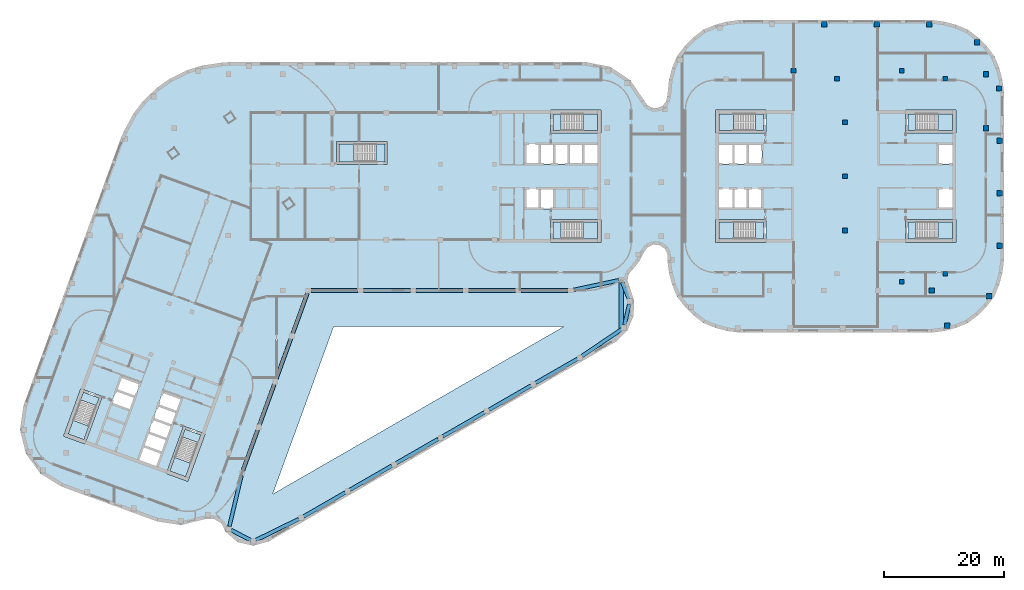
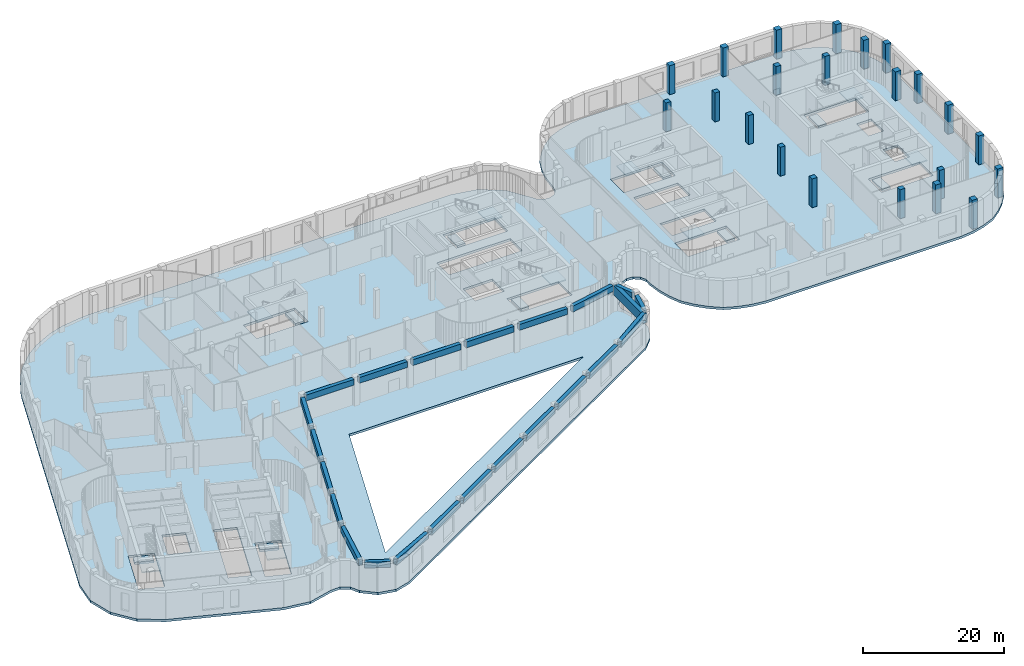
# One storey, part 2 of 20: 23 beams, 22 columns, 19 slabs, 9 elements without a shape of their own.
"""IFC4 building model written with IfcOpenShell, lengths in metres."""

from ifc_helpers import new_model, si_unit, direction, frame, origin, origin_2d, place, context, subcontext, project, spatial, polyline, rectangle, hollow_rectangle, outline, extrude, material, layer, layer_set, material_profile, profile_set, type_object, element, aggregate, save


model = new_model("IFC4")

# Units and contexts
model_context = context("Model", 3, precision=1e-05, world=origin(), true_north=direction((0.0, 1.0)))
body_context = subcontext(model_context, "Body", "Model", "MODEL_VIEW")
ifc_project = project(units=[si_unit("LENGTHUNIT", "METRE"), si_unit("AREAUNIT", "SQUARE_METRE"), si_unit("VOLUMEUNIT", "CUBIC_METRE"), si_unit("PLANEANGLEUNIT", "RADIAN"), si_unit("MASSUNIT", "GRAM", prefix="KILO")], contexts=[model_context])

# Site, building, storey
site_placement = place(None, origin())
site = spatial("IfcSite", under=ifc_project, at=site_placement, CompositionType="ELEMENT")
building_placement = place(site_placement, origin())
building = spatial("IfcBuilding", under=site, at=building_placement, Name="Skarvind Civic Tower", CompositionType="ELEMENT")
storey_placement = place(building_placement, frame((0.0, 0.0, 17.5)))
storey = spatial("IfcBuildingStorey", under=building, at=storey_placement, Name="L03", CompositionType="ELEMENT", Elevation=17.5)

# Columns
ifc_material_1 = material(Name="Concrete C60", Category="concrete")
ifc_material_profile_1 = material_profile(ifc_material_1, rectangle(XDim=0.800048828125, YDim=0.800048828125, at=origin_2d()), Name="RC-800x800")
ifc_profile_set_1 = profile_set([ifc_material_profile_1], Name="Concrete C60")
column_type_1 = type_object("IfcColumnType", Name="Column RC-800x800 C60", PredefinedType="COLUMN", material=ifc_profile_set_1)
for number, where, z_axis, x_axis, name in (
    (1, (148.550048828125, 119.0, 0.0), (0.0, 0.0, 1.0), (1.0, 0.0, 0.0), "Column second tower middle line 01 L03"),
    (2, (148.550048828125, 128.0, 0.0), (0.0, 0.0, 1.0), (1.0, 0.0, 0.0), "Column second tower middle line 02 L03"),
    (3, (148.550048828125, 137.0, 0.0), (0.0, 0.0, 1.0), (1.0, 0.0, 0.0), "Column second tower middle line 03 L03"),
    (4, (140.0, 145.550048828125, 0.0), (0.0, 0.0, 1.0), (1.0, 0.0, 0.0), "Column second tower north perimeter 02 L03"),
    (5, (147.222900390625, 144.222900390625, 0.0), (0.0, 0.0, 1.0), (1.0, 0.0, 0.0), "Column second tower north perimeter 03 L03"),
    (6, (165.222900390625, 144.222900390625, 0.0), (0.0, 0.0, 1.0), (1.0, 0.0, 0.0), "Column second tower north-east corner L03"),
    (7, (165.222900390625, 111.777099609375, 0.0), (0.0, 0.0, 1.0), (1.0, 0.0, 0.0), "Column second tower south-east corner L03"),
    (8, (158.0, 145.550048828125, 0.0), (0.0, 0.0, 1.0), (1.0, 0.0, 0.0), "Column second tower north perimeter 04 L03"),
    (9, (158.0, 110.449951171875, 0.0), (0.0, 0.0, 1.0), (1.0, 0.0, 0.0), "Column second tower south perimeter 04 L03"),
):
    element("IfcColumn", number, at=place(storey_placement, frame(where, z_axis=z_axis, x_axis=x_axis)), inside=storey, type_object=column_type_1, Name=name, PredefinedType="COLUMN", context=body_context, shape_type="SweptSolid", body=[
        extrude(rectangle(XDim=0.800048828125, YDim=0.800048828125, at=origin_2d()), origin(), (0.0, 0.0, 1.0), 5.0),
    ])
ifc_material_profile_2 = material_profile(ifc_material_1, rectangle(XDim=0.89990234375, YDim=0.89990234375, at=origin_2d()), Name="RC-900x900")
ifc_profile_set_2 = profile_set([ifc_material_profile_2], Name="Concrete C60")
column_type_2 = type_object("IfcColumnType", Name="Column RC-900x900 C60", PredefinedType="COLUMN", material=ifc_profile_set_2)
for number, where, z_axis, x_axis, name in (
    (10, (163.0, 109.0, 0.0), (0.0, 0.0, 1.0), (1.0, 0.0, 0.0), "Column podium grid 104 L03"),
    (11, (172.0, 136.0, 0.0), (0.0, 0.0, 1.0), (1.0, 0.0, 0.0), "Column podium grid 105 L03"),
    (12, (172.0, 145.0, 0.0), (0.0, 0.0, 1.0), (1.0, 0.0, 0.0), "Column podium grid 106 L03"),
    (13, (145.1015625, 153.300048828125, 0.0), (0.0, 0.0, 1.0), (1.0, 0.0, 0.0), "Column podium edge 31 L03"),
    (14, (153.8310546875, 153.300048828125, 0.0), (0.0, 0.0, 1.0), (1.0, 0.0, 0.0), "Column podium edge 32 L03"),
    (15, (162.560791015625, 153.300048828125, 0.0), (0.0, 0.0, 1.0), (1.0, 0.0, 0.0), "Column podium edge 33 L03"),
    (16, (170.520751953125, 150.26708984375, 0.0), (0.0, 0.0, 1.0), (1.0, 0.0, 0.0), "Column podium edge 34 L03"),
    (17, (174.210693359375, 142.610595703125, 0.0), (0.0, 0.0, 1.0), (1.0, 0.0, 0.0), "Column podium edge 35 L03"),
    (18, (174.300048828125, 133.88671875, 0.0), (0.0, 0.0, 1.0), (1.0, 0.0, 0.0), "Column podium edge 36 L03"),
    (19, (174.300048828125, 125.1572265625, 0.0), (0.0, 0.0, 1.0), (1.0, 0.0, 0.0), "Column podium edge 37 L03"),
    (20, (174.300048828125, 116.427490234375, 0.0), (0.0, 0.0, 1.0), (1.0, 0.0, 0.0), "Column podium edge 38 L03"),
    (21, (172.520751953125, 108.018798828125, 0.0), (0.0, 0.0, 1.0), (1.0, 0.0, 0.0), "Column podium edge 39 L03"),
    (22, (165.565673828125, 103.1298828125, 0.0), (0.0, 0.0, 1.0), (1.0, 0.0, 0.0), "Column podium edge 40 L03"),
):
    element("IfcColumn", number, at=place(storey_placement, frame(where, z_axis=z_axis, x_axis=x_axis)), inside=storey, type_object=column_type_2, Name=name, PredefinedType="COLUMN", context=body_context, shape_type="SweptSolid", body=[
        extrude(rectangle(XDim=0.89990234375, YDim=0.89990234375, at=origin_2d()), origin(), (0.0, 0.0, 1.0), 5.0),
    ])

# Beams
ifc_material_profile_3 = material_profile(ifc_material_1, rectangle(XDim=0.60009765625, YDim=1.0, at=origin_2d()), Name="RC-600x1000")
ifc_profile_set_3 = profile_set([ifc_material_profile_3], Name="Concrete C60")
beam_type_1 = type_object("IfcBeamType", Name="Hall ring beam RC-600x1000 C60", PredefinedType="BEAM", material=ifc_profile_set_3)
beam_1_placement = place(storey_placement, frame((50.864501953125, 85.81298828125, 4.10009765625), z_axis=(-0.341997129295, -0.939700996889, 0.0), x_axis=(0.939700996889, -0.341997129295, 0.0)))
element("IfcBeam", 23, at=beam_1_placement, inside=storey, type_object=beam_type_1, Name="Hall ring beam L04 1", PredefinedType="BEAM", context=body_context, shape_type="SweptSolid", body=[
    extrude(rectangle(XDim=0.60009765625, YDim=1.0, at=origin_2d()), origin(), (0.0, 0.0, 1.0), 7.175048828125),
])
beam_2_placement = place(storey_placement, frame((48.15283203125, 78.2099609375, 4.10009765625), z_axis=(-0.230542220257, -0.973062323122, 0.0), x_axis=(0.973062323122, -0.230542220257, 0.0)))
element("IfcBeam", 24, at=beam_2_placement, inside=storey, type_object=beam_type_1, Name="Hall ring beam L04 2", PredefinedType="BEAM", context=body_context, shape_type="SweptSolid", body=[
    extrude(rectangle(XDim=0.60009765625, YDim=1.0, at=origin_2d()), origin(), (0.0, 0.0, 1.0), 8.66357421875),
])
beam_3_placement = place(storey_placement, frame((46.453369140625, 69.138916015625, 4.10009765625), z_axis=(0.892412475664, -0.451220537297, 0.0), x_axis=(0.451220537297, 0.892412475664, 0.0)))
element("IfcBeam", 25, at=beam_3_placement, inside=storey, type_object=beam_type_1, Name="Hall ring beam L04 3", PredefinedType="BEAM", context=body_context, shape_type="SweptSolid", body=[
    extrude(rectangle(XDim=0.60009765625, YDim=1.0, at=origin_2d()), origin(), (0.0, 0.0, 1.0), 3.676025390625),
])
beam_4_placement = place(storey_placement, frame((50.539794921875, 67.47509765625, 4.10009765625), z_axis=(0.898131682958, 0.439726596953, 0.0), x_axis=(-0.439726596953, 0.898131682958, 0.0)))
element("IfcBeam", 26, at=beam_4_placement, inside=storey, type_object=beam_type_1, Name="Hall ring beam L04 4", PredefinedType="BEAM", context=body_context, shape_type="SweptSolid", body=[
    extrude(rectangle(XDim=0.60009765625, YDim=1.0, at=origin_2d()), origin(), (0.0, 0.0, 1.0), 7.9599609375),
])
for number, where, z_axis, x_axis, name in (
    (27, (58.483154296875, 71.397705078125, 4.10009765625), (0.866703485632, 0.498823684275, 0.0), (-0.498823684275, 0.866703485632, 0.0), "Hall ring beam L04 5"),
    (28, (66.20849609375, 75.843994140625, 4.10009765625), (0.866703485632, 0.498823684275, 0.0), (-0.498823684275, 0.866703485632, 0.0), "Hall ring beam L04 6"),
    (29, (73.933837890625, 80.290283203125, 4.10009765625), (0.866703485632, 0.498823684275, 0.0), (-0.498823684275, 0.866703485632, 0.0), "Hall ring beam L04 7"),
    (30, (81.6591796875, 84.736572265625, 4.10009765625), (0.866703485632, 0.498823684275, 0.0), (-0.498823684275, 0.866703485632, 0.0), "Hall ring beam L04 8"),
    (31, (89.384521484375, 89.182861328125, 4.10009765625), (0.866703485632, 0.498823684275, 0.0), (-0.498823684275, 0.866703485632, 0.0), "Hall ring beam L04 9"),
    (32, (97.10986328125, 93.629150390625, 4.10009765625), (0.866703485632, 0.498823684275, 0.0), (-0.498823684275, 0.866703485632, 0.0), "Hall ring beam L04 10"),
):
    element("IfcBeam", number, at=place(storey_placement, frame(where, z_axis=z_axis, x_axis=x_axis)), inside=storey, type_object=beam_type_1, Name=name, PredefinedType="BEAM", context=body_context, shape_type="SweptSolid", body=[
        extrude(rectangle(XDim=0.60009765625, YDim=1.0, at=origin_2d()), origin(), (0.0, 0.0, 1.0), 8.013427734375),
    ])
beam_5_placement = place(storey_placement, frame((104.81787109375, 98.10302734375, 4.10009765625), z_axis=(0.828297670288, 0.560288291325, 0.0), x_axis=(-0.560288291325, 0.828297670288, 0.0)))
element("IfcBeam", 33, at=beam_5_placement, inside=storey, type_object=beam_type_1, Name="Hall ring beam L04 11", PredefinedType="BEAM", context=body_context, shape_type="SweptSolid", body=[
    extrude(rectangle(XDim=0.60009765625, YDim=1.0, at=origin_2d()), origin(), (0.0, 0.0, 1.0), 7.947021484375),
])
beam_6_placement = place(storey_placement, frame((111.873046875, 103.246337890625, 4.10009765625), z_axis=(0.222011679923, 0.975044006175, 0.0), x_axis=(-0.975044006175, 0.222011679923, 0.0)))
element("IfcBeam", 34, at=beam_6_placement, inside=storey, type_object=beam_type_1, Name="Hall ring beam L04 12", PredefinedType="BEAM", context=body_context, shape_type="SweptSolid", body=[
    extrude(rectangle(XDim=0.60009765625, YDim=1.0, at=origin_2d()), origin(), (0.0, 0.0, 1.0), 3.6201171875),
])
beam_7_placement = place(storey_placement, frame((112.608154296875, 107.632080078125, 4.10009765625), z_axis=(-0.374450757239, 0.927246801236, 0.0), x_axis=(-0.927246801236, -0.374450757239, 0.0)))
element("IfcBeam", 35, at=beam_7_placement, inside=storey, type_object=beam_type_1, Name="Hall ring beam L04 13", PredefinedType="BEAM", context=body_context, shape_type="SweptSolid", body=[
    extrude(rectangle(XDim=0.60009765625, YDim=1.0, at=origin_2d()), origin(), (0.0, 0.0, 1.0), 2.95556640625),
])
beam_8_placement = place(storey_placement, frame((110.892822265625, 110.69580078125, 4.10009765625), z_axis=(-0.977960010839, -0.208792282422, 0.0), x_axis=(0.208792282422, -0.977960010839, 0.0)))
element("IfcBeam", 36, at=beam_8_placement, inside=storey, type_object=beam_type_1, Name="Hall ring beam L04 14", PredefinedType="BEAM", context=body_context, shape_type="SweptSolid", body=[
    extrude(rectangle(XDim=0.60009765625, YDim=1.0, at=origin_2d()), origin(), (0.0, 0.0, 1.0), 7.671875),
])
beam_9_placement = place(storey_placement, frame((102.5, 109.0, 4.10009765625), z_axis=(-1.0, 0.0, 0.0), x_axis=(0.0, -1.0, 0.0)))
element("IfcBeam", 37, at=beam_9_placement, inside=storey, type_object=beam_type_1, Name="Hall ring beam L04 15", PredefinedType="BEAM", context=body_context, shape_type="SweptSolid", body=[
    extrude(rectangle(XDim=0.60009765625, YDim=1.0, at=origin_2d()), origin(), (0.0, 0.0, 1.0), 7.829345703125),
])
for number, where, z_axis, x_axis, name in (
    (38, (93.770751953125, 109.0, 4.10009765625), (-1.0, 0.0, 0.0), (0.0, -1.0, 0.0), "Hall ring beam L04 16"),
    (39, (85.04150390625, 109.0, 4.10009765625), (-1.0, 0.0, 0.0), (0.0, -1.0, 0.0), "Hall ring beam L04 17"),
    (40, (76.312255859375, 109.0, 4.10009765625), (-1.0, 0.0, 0.0), (0.0, -1.0, 0.0), "Hall ring beam L04 18"),
):
    element("IfcBeam", number, at=place(storey_placement, frame(where, z_axis=z_axis, x_axis=x_axis)), inside=storey, type_object=beam_type_1, Name=name, PredefinedType="BEAM", context=body_context, shape_type="SweptSolid", body=[
        extrude(rectangle(XDim=0.60009765625, YDim=1.0, at=origin_2d()), origin(), (0.0, 0.0, 1.0), 7.8291015625),
    ])
beam_10_placement = place(storey_placement, frame((67.583251953125, 109.0, 4.10009765625), z_axis=(-1.0, 0.0, 0.0), x_axis=(0.0, -1.0, 0.0)))
element("IfcBeam", 41, at=beam_10_placement, inside=storey, type_object=beam_type_1, Name="Hall ring beam L04 19", PredefinedType="BEAM", context=body_context, shape_type="SweptSolid", body=[
    extrude(rectangle(XDim=0.60009765625, YDim=1.0, at=origin_2d()), origin(), (0.0, 0.0, 1.0), 7.829345703125),
])
for number, where, z_axis, x_axis, name in (
    (42, (59.150146484375, 108.5771484375, 4.10009765625), (-0.342027175178, -0.939690061371, 0.0), (0.939690061371, -0.342027175178, 0.0), "Hall ring beam L04 20"),
    (43, (56.38818359375, 100.989013671875, 4.10009765625), (-0.342038111376, -0.939686080756, 0.0), (0.939686080756, -0.342038111376, 0.0), "Hall ring beam L04 21"),
    (44, (53.62646484375, 93.401123046875, 4.10009765625), (-0.342027175178, -0.939690061371, 0.0), (0.939690061371, -0.342027175178, 0.0), "Hall ring beam L04 22"),
):
    element("IfcBeam", number, at=place(storey_placement, frame(where, z_axis=z_axis, x_axis=x_axis)), inside=storey, type_object=beam_type_1, Name=name, PredefinedType="BEAM", context=body_context, shape_type="SweptSolid", body=[
        extrude(rectangle(XDim=0.60009765625, YDim=1.0, at=origin_2d()), origin(), (0.0, 0.0, 1.0), 7.175048828125),
    ])
ifc_material_2 = material(Name="Steel SM355", Category="steel")
ifc_material_profile_4 = material_profile(ifc_material_2, hollow_rectangle(XDim=0.699951171875, YDim=1.60009765625, WallThickness=0.031982421875, at=origin_2d()), Name="BOX-1600x700x32")
ifc_profile_set_4 = profile_set([ifc_material_profile_4], Name="Steel SM355")
beam_type_2 = type_object("IfcBeamType", Name="Roof girder BOX-1600x700x32 SM355", PredefinedType="BEAM", material=ifc_profile_set_4)
beam_11_placement = place(storey_placement, frame((111.3330078125, 102.068603515625, 3.800048828125), z_axis=(0.0, 1.0, 0.0), x_axis=(-1.0, 0.0, 0.0)))
element("IfcBeam", 45, at=beam_11_placement, inside=storey, type_object=beam_type_2, Name="Roof girder G2 L04 8.4 m", PredefinedType="BEAM", context=body_context, shape_type="SweptSolid", body=[
    extrude(hollow_rectangle(XDim=0.699951171875, YDim=1.60009765625, WallThickness=0.031982421875, at=origin_2d()), origin(), (0.0, 0.0, 1.0), 8.421142578125),
])

# Slabs
ifc_material_3 = material(Name="Concrete C50", Category="concrete")
ifc_layer_1 = layer(ifc_material_3, 0.39990234375)
ifc_layer_set_1 = layer_set([ifc_layer_1], Name="Podium floor slab 400 C50")
slab_type_1 = type_object("IfcSlabType", Name="Podium floor slab 400 C50", PredefinedType="FLOOR", material=ifc_layer_set_1)
slab_1_placement = place(storey_placement, frame((0.0, 0.0, -0.39990234375)))
element("IfcSlab", 46, at=slab_1_placement, inside=storey, type_object=slab_type_1, Name="Podium floor slab L03 1", PredefinedType="FLOOR", context=body_context, shape_type="SweptSolid", body=[
    extrude(outline(polyline([(52.751220703125, 67.291015625), (110.5869140625, 100.577880859375), (112.365234375, 102.4130859375), (113.374267578125, 104.760986328125), (113.4814453125, 107.314208984375), (112.6728515625, 109.73828125), (112.37109375, 110.751953125), (112.6005859375, 111.7841796875), (113.303466796875, 112.57470703125), (114.366455078125, 113.885009765625), (115.1328125, 115.388427734375), (115.75048828125, 116.2119140625), (116.6904296875, 116.63232421875), (117.716064453125, 116.54345703125), (118.56982421875, 115.968017578125), (119.036865234375, 115.05078125), (119.0, 114.021728515625), (119.2783203125, 111.908447265625), (119.8017578125, 109.95458984375), (120.610107421875, 108.001220703125), (121.897705078125, 106.32470703125), (123.32470703125, 104.897705078125), (125.001220703125, 103.610107421875), (126.95458984375, 102.8017578125), (128.908447265625, 102.2783203125), (131.021728515625, 102.0), (162.978271484375, 102.0), (165.091552734375, 102.2783203125), (167.04541015625, 102.8017578125), (168.998779296875, 103.610107421875), (170.67529296875, 104.897705078125), (172.102294921875, 106.32470703125), (173.389892578125, 108.001220703125), (174.1982421875, 109.95458984375), (174.7216796875, 111.908447265625), (175.0, 114.021728515625), (175.0, 141.978271484375), (174.7216796875, 144.091552734375), (174.1982421875, 146.04541015625), (173.389892578125, 147.998779296875), (172.102294921875, 149.67529296875), (170.67529296875, 151.102294921875), (168.998779296875, 152.389892578125), (167.04541015625, 153.1982421875), (165.091552734375, 153.7216796875), (162.978271484375, 154.0), (131.021728515625, 154.0), (128.908447265625, 153.7216796875), (126.95458984375, 153.1982421875), (125.001220703125, 152.389892578125), (123.32470703125, 151.102294921875), (121.897705078125, 149.67529296875), (120.610107421875, 147.998779296875), (119.8017578125, 146.04541015625), (119.2783203125, 144.091552734375), (119.0, 141.328369140625), (118.785400390625, 140.427490234375), (118.18798828125, 139.7197265625), (117.336181640625, 139.356689453125), (116.411865234375, 139.41650390625), (115.613525390625, 139.885986328125), (115.1123046875, 140.664794921875), (112.829345703125, 144.004638671875), (109.44921875, 146.227294921875), (105.478271484375, 147.0), (46.114013671875, 147.0), (44.900390625, 146.910400390625), (41.58837890625, 146.417724609375), (39.1904296875, 145.67041015625), (36.191162109375, 144.19775390625), (34.1337890625, 142.757080078125), (31.72412109375, 140.442626953125), (30.201904296875, 138.44482421875), (28.606201171875, 135.5009765625), (28.10693359375, 134.391357421875), (11.9072265625, 89.883544921875), (11.325439453125, 85.83349609375), (12.311279296875, 81.862548828125), (14.719482421875, 78.554931640625), (18.19580078125, 76.3974609375), (34.129638671875, 70.59814453125), (38.114990234375, 69.990478515625), (42.026611328125, 70.964111328125), (43.532470703125, 71.034423828125), (44.827880859375, 70.263916015625), (45.484619140625, 68.9072265625), (47.523193359375, 67.14111328125), (50.15625, 66.555419921875), (52.751220703125, 67.291015625)]), holes=[polyline([(33.446044921875, 87.660888671875), (34.26708984375, 89.916259765625), (35.087890625, 92.17138671875), (38.28271484375, 91.008544921875), (37.4619140625, 88.75341796875), (36.64111328125, 86.498046875), (35.8203125, 84.242919921875), (35.8203125, 84.242919921875), (34.99951171875, 81.987548828125), (34.178466796875, 79.732421875), (30.983642578125, 80.89501953125), (31.804443359375, 83.150390625), (32.625244140625, 85.40576171875), (32.625244140625, 85.40576171875), (33.446044921875, 87.660888671875)]), polyline([(35.664794921875, 78.552734375), (38.53759765625, 86.4462890625), (42.108642578125, 85.146484375), (39.235595703125, 77.253173828125), (35.664794921875, 78.552734375)]), polyline([(18.5625, 84.777587890625), (21.435302734375, 92.6708984375), (25.006103515625, 91.371337890625), (22.13330078125, 83.477783203125), (18.5625, 84.777587890625)]), polyline([(101.764404296875, 103.0), (53.36669921875, 75.14501953125), (63.505126953125, 103.0), (101.764404296875, 103.0)]), polyline([(31.3291015625, 93.53955078125), (30.50830078125, 91.2841796875), (29.6875, 89.029052734375), (26.492431640625, 90.19189453125), (27.313232421875, 92.447021484375), (28.134033203125, 94.702392578125), (31.3291015625, 93.53955078125)]), polyline([(100.199951171875, 122.60009765625), (97.800048828125, 122.60009765625), (95.39990234375, 122.60009765625), (95.39990234375, 126.0), (97.800048828125, 126.0), (100.199951171875, 126.0), (100.199951171875, 122.60009765625)]), polyline([(102.60009765625, 133.39990234375), (105.0, 133.39990234375), (107.39990234375, 133.39990234375), (107.39990234375, 130.0), (105.0, 130.0), (102.60009765625, 130.0), (100.199951171875, 130.0), (97.800048828125, 130.0), (95.39990234375, 130.0), (95.39990234375, 133.39990234375), (97.800048828125, 133.39990234375), (100.199951171875, 133.39990234375), (102.60009765625, 133.39990234375)]), polyline([(64.0, 133.800048828125), (72.39990234375, 133.800048828125), (72.39990234375, 130.0), (64.0, 130.0), (64.0, 133.800048828125)]), polyline([(108.0, 117.0), (99.60009765625, 117.0), (99.60009765625, 120.800048828125), (108.0, 120.800048828125), (108.0, 117.0)]), polyline([(127.0, 120.800048828125), (135.39990234375, 120.800048828125), (135.39990234375, 117.0), (127.0, 117.0), (127.0, 120.800048828125)]), polyline([(167.0, 117.0), (158.60009765625, 117.0), (158.60009765625, 120.800048828125), (167.0, 120.800048828125), (167.0, 117.0)]), polyline([(130.0, 126.0), (132.39990234375, 126.0), (134.800048828125, 126.0), (134.800048828125, 122.60009765625), (132.39990234375, 122.60009765625), (130.0, 122.60009765625), (127.60009765625, 122.60009765625), (127.60009765625, 126.0), (130.0, 126.0)]), polyline([(166.39990234375, 122.60009765625), (164.0, 122.60009765625), (164.0, 126.0), (166.39990234375, 126.0), (166.39990234375, 122.60009765625)]), polyline([(134.800048828125, 130.0), (132.39990234375, 130.0), (130.0, 130.0), (127.60009765625, 130.0), (127.60009765625, 133.39990234375), (130.0, 133.39990234375), (132.39990234375, 133.39990234375), (134.800048828125, 133.39990234375), (134.800048828125, 130.0)]), polyline([(166.39990234375, 130.0), (164.0, 130.0), (164.0, 133.39990234375), (166.39990234375, 133.39990234375), (166.39990234375, 130.0)]), polyline([(108.0, 135.199951171875), (99.60009765625, 135.199951171875), (99.60009765625, 139.0), (108.0, 139.0), (108.0, 135.199951171875)]), polyline([(127.0, 139.0), (135.39990234375, 139.0), (135.39990234375, 135.199951171875), (127.0, 135.199951171875), (127.0, 139.0)]), polyline([(167.0, 135.199951171875), (158.60009765625, 135.199951171875), (158.60009765625, 139.0), (167.0, 139.0), (167.0, 135.199951171875)])]), origin(), (0.0, 0.0, 1.0), 0.39990234375),
])
ifc_material_4 = material(Name="Concrete C40/50", Category="concrete")
ifc_layer_2 = layer(ifc_material_4, 0.39990234375)
ifc_layer_set_2 = layer_set([ifc_layer_2], Name="Stair floor landing slab 400")
slab_type_2 = type_object("IfcSlabType", Name="Stair floor landing slab 400", PredefinedType="LANDING", material=ifc_layer_set_2)
slab_2_placement = place(storey_placement, frame((0.0, 0.0, -0.39990234375)))
element("IfcSlab", 47, at=slab_2_placement, inside=storey, type_object=slab_type_2, Name="Stair floor landing", PredefinedType="LANDING", context=body_context, shape_type="SweptSolid", body=[
    extrude(outline(polyline([(101.3505859375, 138.400634765625), (101.3505859375, 135.599365234375), (99.99951171875, 135.599365234375), (99.99951171875, 138.400634765625), (101.3505859375, 138.400634765625)])), origin(), (0.0, 0.0, 1.0), 0.39990234375),
])
slab_3_placement = place(storey_placement, frame((0.0, 0.0, -0.39990234375)))
element("IfcSlab", 48, at=slab_3_placement, inside=storey, type_object=slab_type_2, Name="Stair floor landing", PredefinedType="LANDING", context=body_context, shape_type="SweptSolid", body=[
    extrude(outline(polyline([(101.3505859375, 120.400634765625), (101.3505859375, 117.599365234375), (99.99951171875, 117.599365234375), (99.99951171875, 120.400634765625), (101.3505859375, 120.400634765625)])), origin(), (0.0, 0.0, 1.0), 0.39990234375),
])
slab_4_placement = place(storey_placement, frame((0.0, 0.0, -0.39990234375)))
element("IfcSlab", 49, at=slab_4_placement, inside=storey, type_object=slab_type_2, Name="Stair floor landing", PredefinedType="LANDING", context=body_context, shape_type="SweptSolid", body=[
    extrude(outline(polyline([(40.946533203125, 83.70654296875), (38.314208984375, 84.66455078125), (38.7763671875, 85.934326171875), (41.40869140625, 84.976318359375), (40.946533203125, 83.70654296875)])), origin(), (0.0, 0.0, 1.0), 0.39990234375),
])
slab_5_placement = place(storey_placement, frame((0.0, 0.0, -0.39990234375)))
element("IfcSlab", 50, at=slab_5_placement, inside=storey, type_object=slab_type_2, Name="Stair floor landing", PredefinedType="LANDING", context=body_context, shape_type="SweptSolid", body=[
    extrude(outline(polyline([(24.0322265625, 89.863037109375), (21.39990234375, 90.821044921875), (21.862060546875, 92.090576171875), (24.494384765625, 91.132568359375), (24.0322265625, 89.863037109375)])), origin(), (0.0, 0.0, 1.0), 0.39990234375),
])
slab_6_placement = place(storey_placement, frame((0.0, 0.0, -0.39990234375)))
element("IfcSlab", 51, at=slab_6_placement, inside=storey, type_object=slab_type_2, Name="Stair floor landing", PredefinedType="LANDING", context=body_context, shape_type="SweptSolid", body=[
    extrude(outline(polyline([(133.6494140625, 117.599365234375), (133.6494140625, 120.400634765625), (135.00048828125, 120.400634765625), (135.00048828125, 117.599365234375), (133.6494140625, 117.599365234375)])), origin(), (0.0, 0.0, 1.0), 0.39990234375),
])
slab_7_placement = place(storey_placement, frame((0.0, 0.0, -0.39990234375)))
element("IfcSlab", 52, at=slab_7_placement, inside=storey, type_object=slab_type_2, Name="Stair floor landing", PredefinedType="LANDING", context=body_context, shape_type="SweptSolid", body=[
    extrude(outline(polyline([(133.6494140625, 135.599365234375), (133.6494140625, 138.400634765625), (135.00048828125, 138.400634765625), (135.00048828125, 135.599365234375), (133.6494140625, 135.599365234375)])), origin(), (0.0, 0.0, 1.0), 0.39990234375),
])
slab_8_placement = place(storey_placement, frame((0.0, 0.0, -0.39990234375)))
element("IfcSlab", 53, at=slab_8_placement, inside=storey, type_object=slab_type_2, Name="Stair floor landing", PredefinedType="LANDING", context=body_context, shape_type="SweptSolid", body=[
    extrude(outline(polyline([(160.3505859375, 138.400634765625), (160.3505859375, 135.599365234375), (158.99951171875, 135.599365234375), (158.99951171875, 138.400634765625), (160.3505859375, 138.400634765625)])), origin(), (0.0, 0.0, 1.0), 0.39990234375),
])
slab_9_placement = place(storey_placement, frame((0.0, 0.0, -0.39990234375)))
element("IfcSlab", 54, at=slab_9_placement, inside=storey, type_object=slab_type_2, Name="Stair floor landing", PredefinedType="LANDING", context=body_context, shape_type="SweptSolid", body=[
    extrude(outline(polyline([(160.3505859375, 120.400634765625), (160.3505859375, 117.599365234375), (158.99951171875, 117.599365234375), (158.99951171875, 120.400634765625), (160.3505859375, 120.400634765625)])), origin(), (0.0, 0.0, 1.0), 0.39990234375),
])
slab_10_placement = place(storey_placement, frame((0.0, 0.0, -0.39990234375)))
element("IfcSlab", 55, at=slab_10_placement, inside=storey, type_object=slab_type_2, Name="Stair floor landing", PredefinedType="LANDING", context=body_context, shape_type="SweptSolid", body=[
    extrude(outline(polyline([(70.54931640625, 130.3994140625), (70.54931640625, 133.400634765625), (72.00048828125, 133.400634765625), (72.00048828125, 130.3994140625), (70.54931640625, 130.3994140625)])), origin(), (0.0, 0.0, 1.0), 0.39990234375),
])

# Stair, slab
stair_type_1 = type_object("IfcStairType", Name="Exit stair, half-turn, concrete", PredefinedType="HALF_TURN_STAIR", material=ifc_material_4)
stair_1_placement = place(storey_placement, origin())
stair_1 = element("IfcStair", 56, at=stair_1_placement, inside=storey, type_object=stair_type_1, Name="Exit stair C1S", PredefinedType="HALF_TURN_STAIR")
ifc_layer_3 = layer(ifc_material_4, 0.199951171875)
ifc_layer_set_3 = layer_set([ifc_layer_3], Name="Stair half landing slab")
slab_type_3 = type_object("IfcSlabType", Name="Stair half landing slab", PredefinedType="LANDING", material=ifc_layer_set_3)
slab_11_placement = place(storey_placement, frame((0.0, 0.0, 2.300048828125)))
slab_11 = element("IfcSlab", 57, at=slab_11_placement, type_object=slab_type_3, Name="ST-C1S landing 1", PredefinedType="LANDING", context=body_context, shape_type="SweptSolid", body=[
    extrude(outline(polyline([(104.989501953125, 135.599365234375), (104.989501953125, 138.400634765625), (107.400634765625, 138.400634765625), (107.400634765625, 135.599365234375), (104.989501953125, 135.599365234375)])), origin(), (0.0, 0.0, 1.0), 0.199951171875),
])
aggregate(stair_1, [slab_11])

stair_2_placement = place(storey_placement, origin())
stair_2 = element("IfcStair", 58, at=stair_2_placement, inside=storey, type_object=stair_type_1, Name="Exit stair C1N", PredefinedType="HALF_TURN_STAIR")
slab_12_placement = place(storey_placement, frame((0.0, 0.0, 2.300048828125)))
slab_12 = element("IfcSlab", 59, at=slab_12_placement, type_object=slab_type_3, Name="ST-C1N landing 1", PredefinedType="LANDING", context=body_context, shape_type="SweptSolid", body=[
    extrude(outline(polyline([(104.989501953125, 117.599365234375), (104.989501953125, 120.400634765625), (107.400634765625, 120.400634765625), (107.400634765625, 117.599365234375), (104.989501953125, 117.599365234375)])), origin(), (0.0, 0.0, 1.0), 0.199951171875),
])
aggregate(stair_2, [slab_12])

stair_3_placement = place(storey_placement, origin())
stair_3 = element("IfcStair", 60, at=stair_3_placement, inside=storey, type_object=stair_type_1, Name="Exit stair C2S", PredefinedType="HALF_TURN_STAIR")
slab_13_placement = place(storey_placement, frame((0.0, 0.0, 2.300048828125)))
slab_13 = element("IfcSlab", 61, at=slab_13_placement, type_object=slab_type_3, Name="ST-C2S landing 1", PredefinedType="LANDING", context=body_context, shape_type="SweptSolid", body=[
    extrude(outline(polyline([(37.06982421875, 81.245361328125), (39.7021484375, 80.287109375), (38.87744140625, 78.021484375), (36.2451171875, 78.9794921875), (37.06982421875, 81.245361328125)])), origin(), (0.0, 0.0, 1.0), 0.199951171875),
])
aggregate(stair_3, [slab_13])

stair_4_placement = place(storey_placement, origin())
stair_4 = element("IfcStair", 62, at=stair_4_placement, inside=storey, type_object=stair_type_1, Name="Exit stair C2N", PredefinedType="HALF_TURN_STAIR")
slab_14_placement = place(storey_placement, frame((0.0, 0.0, 2.300048828125)))
slab_14 = element("IfcSlab", 63, at=slab_14_placement, type_object=slab_type_3, Name="ST-C2N landing 1", PredefinedType="LANDING", context=body_context, shape_type="SweptSolid", body=[
    extrude(outline(polyline([(20.1552734375, 87.401611328125), (22.78759765625, 86.443603515625), (21.962890625, 84.177734375), (19.33056640625, 85.1357421875), (20.1552734375, 87.401611328125)])), origin(), (0.0, 0.0, 1.0), 0.199951171875),
])
aggregate(stair_4, [slab_14])

stair_5_placement = place(storey_placement, origin())
stair_5 = element("IfcStair", 64, at=stair_5_placement, inside=storey, type_object=stair_type_1, Name="Exit stair CAS", PredefinedType="HALF_TURN_STAIR")
slab_15_placement = place(storey_placement, frame((0.0, 0.0, 2.300048828125)))
slab_15 = element("IfcSlab", 65, at=slab_15_placement, type_object=slab_type_3, Name="ST-CAS landing 1", PredefinedType="LANDING", context=body_context, shape_type="SweptSolid", body=[
    extrude(outline(polyline([(130.010498046875, 120.400634765625), (130.010498046875, 117.599365234375), (127.599365234375, 117.599365234375), (127.599365234375, 120.400634765625), (130.010498046875, 120.400634765625)])), origin(), (0.0, 0.0, 1.0), 0.199951171875),
])
aggregate(stair_5, [slab_15])

stair_6_placement = place(storey_placement, origin())
stair_6 = element("IfcStair", 66, at=stair_6_placement, inside=storey, type_object=stair_type_1, Name="Exit stair CAN", PredefinedType="HALF_TURN_STAIR")
slab_16_placement = place(storey_placement, frame((0.0, 0.0, 2.300048828125)))
slab_16 = element("IfcSlab", 67, at=slab_16_placement, type_object=slab_type_3, Name="ST-CAN landing 1", PredefinedType="LANDING", context=body_context, shape_type="SweptSolid", body=[
    extrude(outline(polyline([(130.010498046875, 138.400634765625), (130.010498046875, 135.599365234375), (127.599365234375, 135.599365234375), (127.599365234375, 138.400634765625), (130.010498046875, 138.400634765625)])), origin(), (0.0, 0.0, 1.0), 0.199951171875),
])
aggregate(stair_6, [slab_16])

stair_7_placement = place(storey_placement, origin())
stair_7 = element("IfcStair", 68, at=stair_7_placement, inside=storey, type_object=stair_type_1, Name="Exit stair CBS", PredefinedType="HALF_TURN_STAIR")
slab_17_placement = place(storey_placement, frame((0.0, 0.0, 2.300048828125)))
slab_17 = element("IfcSlab", 69, at=slab_17_placement, type_object=slab_type_3, Name="ST-CBS landing 1", PredefinedType="LANDING", context=body_context, shape_type="SweptSolid", body=[
    extrude(outline(polyline([(163.989501953125, 135.599365234375), (163.989501953125, 138.400634765625), (166.400634765625, 138.400634765625), (166.400634765625, 135.599365234375), (163.989501953125, 135.599365234375)])), origin(), (0.0, 0.0, 1.0), 0.199951171875),
])
aggregate(stair_7, [slab_17])

stair_8_placement = place(storey_placement, origin())
stair_8 = element("IfcStair", 70, at=stair_8_placement, inside=storey, type_object=stair_type_1, Name="Exit stair CBN", PredefinedType="HALF_TURN_STAIR")
slab_18_placement = place(storey_placement, frame((0.0, 0.0, 2.300048828125)))
slab_18 = element("IfcSlab", 71, at=slab_18_placement, type_object=slab_type_3, Name="ST-CBN landing 1", PredefinedType="LANDING", context=body_context, shape_type="SweptSolid", body=[
    extrude(outline(polyline([(163.989501953125, 117.599365234375), (163.989501953125, 120.400634765625), (166.400634765625, 120.400634765625), (166.400634765625, 117.599365234375), (163.989501953125, 117.599365234375)])), origin(), (0.0, 0.0, 1.0), 0.199951171875),
])
aggregate(stair_8, [slab_18])

stair_type_2 = type_object("IfcStairType", Name="Exit stair 1450, half-turn, concrete", PredefinedType="HALF_TURN_STAIR", material=ifc_material_4)
stair_9_placement = place(storey_placement, origin())
stair_9 = element("IfcStair", 72, at=stair_9_placement, inside=storey, type_object=stair_type_2, Name="Exit stair CM", PredefinedType="HALF_TURN_STAIR")
slab_19_placement = place(storey_placement, frame((0.0, 0.0, 2.300048828125)))
slab_19 = element("IfcSlab", 73, at=slab_19_placement, type_object=slab_type_3, Name="ST-CM landing 1", PredefinedType="LANDING", context=body_context, shape_type="SweptSolid", body=[
    extrude(outline(polyline([(66.91064453125, 133.400634765625), (66.91064453125, 130.3994140625), (64.3994140625, 130.3994140625), (64.3994140625, 133.400634765625), (66.91064453125, 133.400634765625)])), origin(), (0.0, 0.0, 1.0), 0.199951171875),
])
aggregate(stair_9, [slab_19])

save(model, "model.ifc")
